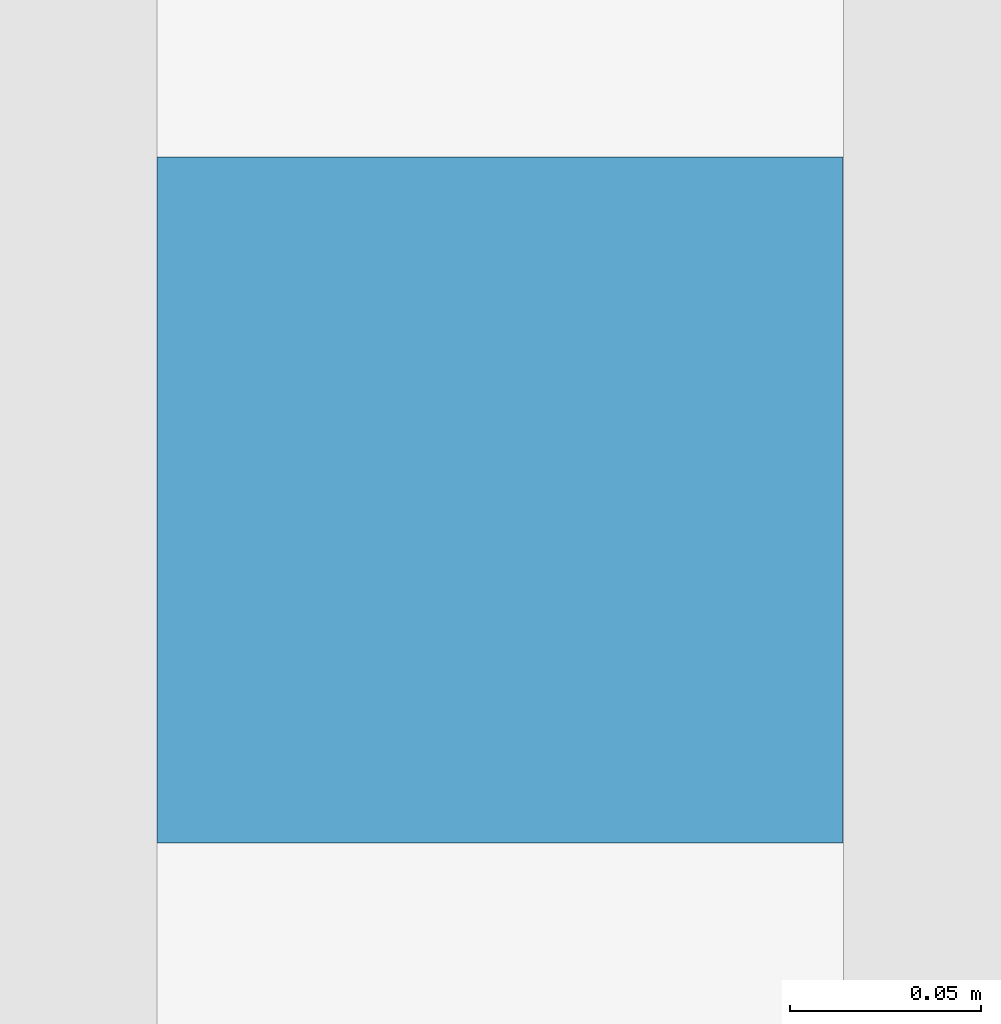
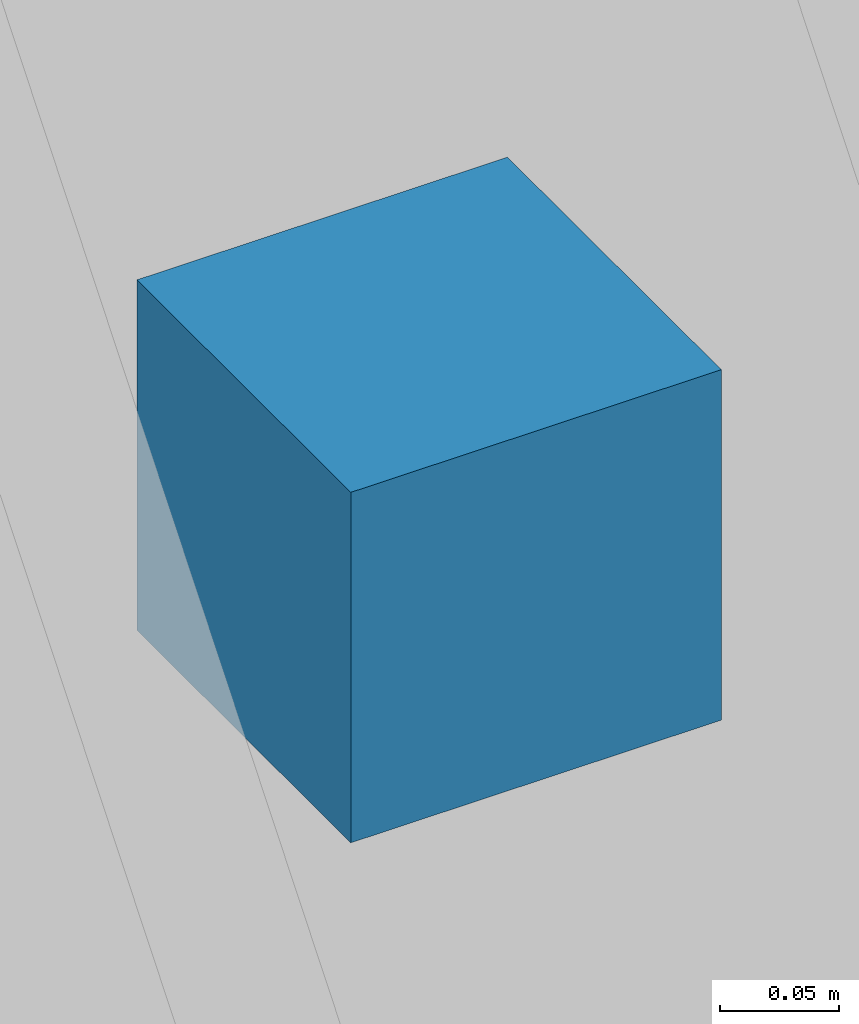
# One storey, part 81 of 90: 1 discrete accessory.
"""IFC4 building model written with IfcOpenShell, lengths in metres."""

from ifc_helpers import new_model, si_unit, direction, frame, origin, origin_2d, place, context, subcontext, project, spatial, rectangle, extrude, material, type_object, element, save


model = new_model("IFC4")

# Units and contexts
model_context = context("Model", 3, precision=1e-05, world=origin(), true_north=direction((0.0, 1.0)))
body_context = subcontext(model_context, "Body", "Model", "MODEL_VIEW")
ifc_project = project(units=[si_unit("LENGTHUNIT", "METRE"), si_unit("AREAUNIT", "SQUARE_METRE"), si_unit("VOLUMEUNIT", "CUBIC_METRE"), si_unit("PLANEANGLEUNIT", "RADIAN"), si_unit("MASSUNIT", "GRAM", prefix="KILO")], contexts=[model_context])

# Site, building, storey
site_placement = place(None, origin())
site = spatial("IfcSite", under=ifc_project, at=site_placement, CompositionType="ELEMENT")
building_placement = place(site_placement, origin())
building = spatial("IfcBuilding", under=site, at=building_placement, Name="Solanera Park Tramway Depot", CompositionType="ELEMENT")
storey_placement = place(building_placement, frame((0.0, 0.0, 9.0)))
storey = spatial("IfcBuildingStorey", under=building, at=storey_placement, Name="L02", CompositionType="ELEMENT", Elevation=9.0)

# Discrete accessory
ifc_material = material(Name="Steel AS/NZS 3679.1 Grade 350", Category="steel")
discrete_accessory_type = type_object("IfcDiscreteAccessoryType", Name="Facade Sunshade Fixing Bracket 180x180", PredefinedType="BRACKET", material=ifc_material)
discrete_accessory_placement = place(storey_placement, frame((187.429931640625, 60.625, 1.58984375), z_axis=(0.0, 0.0, 1.0), x_axis=(0.0, 1.0, 0.0)))
element("IfcDiscreteAccessory", 1, at=discrete_accessory_placement, inside=storey, type_object=discrete_accessory_type, Name="Jalousie Bracket #032", PredefinedType="BRACKET", context=body_context, shape_type="SweptSolid", body=[
    extrude(rectangle(XDim=0.179931640625, YDim=0.179931640625, at=origin_2d()), origin(), (0.0, 0.0, 1.0), 0.179931640625),
])

save(model, "model.ifc")
